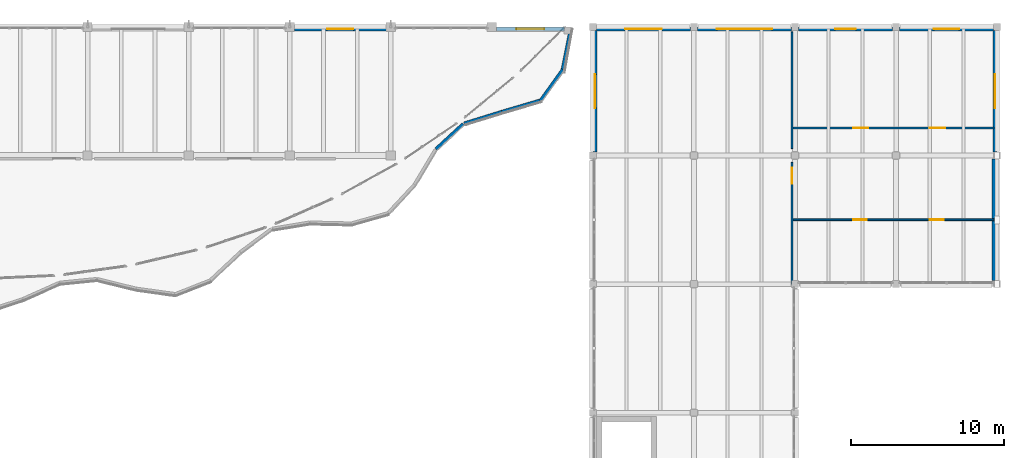
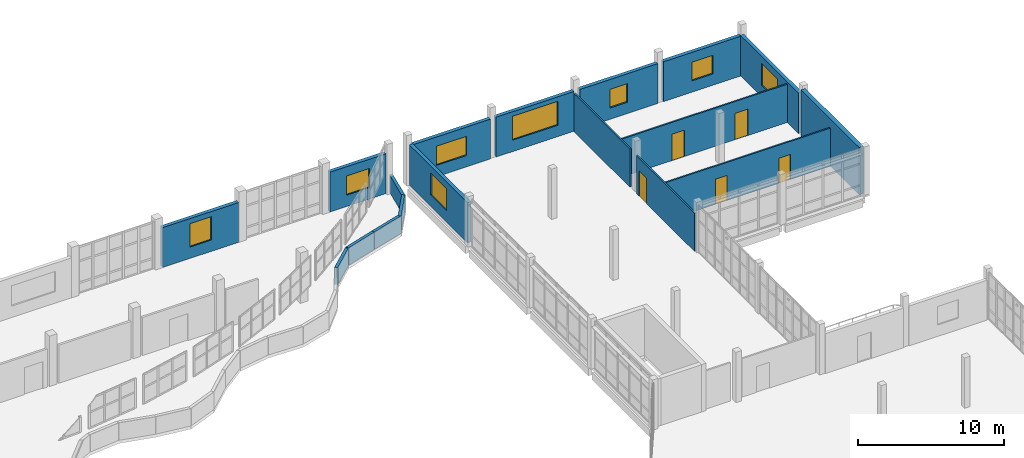
# One storey, part 55 of 74: 18 walls, 8 windows, 5 doors, 13 openings.
"""IFC4 building model written with IfcOpenShell, lengths in metres."""

from ifc_helpers import new_model, si_unit, direction, frame, frame_2d, origin, place, context, subcontext, project, spatial, rectangle, extrude, material, layer, layer_set, type_object, element, fill, save


model = new_model("IFC4")

# Units and contexts
model_context = context("Model", 3, precision=1e-05, world=origin(), true_north=direction((0.0, 1.0)))
body_context = subcontext(model_context, "Body", "Model", "MODEL_VIEW")
ifc_project = project(units=[si_unit("LENGTHUNIT", "METRE"), si_unit("AREAUNIT", "SQUARE_METRE"), si_unit("VOLUMEUNIT", "CUBIC_METRE"), si_unit("PLANEANGLEUNIT", "RADIAN"), si_unit("MASSUNIT", "GRAM", prefix="KILO")], contexts=[model_context])

# Site, building, storey
site_placement = place(None, origin())
site = spatial("IfcSite", under=ifc_project, at=site_placement, CompositionType="ELEMENT")
building_placement = place(site_placement, origin())
building = spatial("IfcBuilding", under=site, at=building_placement, Name="Qaldarim Faculty of Natural and Applied Sciences", CompositionType="ELEMENT")
storey_placement = place(building_placement, frame((0.0, 0.0, 14.39990234375)))
storey = spatial("IfcBuildingStorey", under=building, at=storey_placement, Name="L03", CompositionType="ELEMENT", Elevation=14.39990234375)

# Wall, opening, door
ifc_material_1 = material(Name="Painted gypsum partition board")
ifc_layer_1 = layer(ifc_material_1, 0.1201171875)
ifc_layer_set_1 = layer_set([ifc_layer_1], Name="Painted gypsum partition board")
wall_type_1 = type_object("IfcWallType", Name="AcousticPartition-120", PredefinedType="PARTITIONING", material=ifc_layer_set_1)
wall_1_placement = place(storey_placement, frame((164.800048828125, 100.800048828125, 0.0), z_axis=(0.0, 0.0, 1.0), x_axis=(0.0, 1.0, 0.0)))
wall_1 = element("IfcWall", 1, at=wall_1_placement, inside=storey, type_object=wall_type_1, Name="Interior partition PRT-L03-V3-TUTW-S1", PredefinedType="PARTITIONING", context=body_context, shape_type="SweptSolid", body=[
    extrude(rectangle(XDim=7.949951171875, YDim=0.1201171875, at=frame_2d((3.97509765625, 0.0))), origin(), (0.0, 0.0, 1.0), 3.190185546875),
])
opening_1_placement = place(wall_1_placement, frame((6.550048828125, 0.0, 0.0)))
opening_1 = element("IfcOpeningElement", 2, at=opening_1_placement, cuts=wall_1, Name="Opening ID02", PredefinedType="OPENING", context=body_context, shape_type="SweptSolid", body=[
    extrude(rectangle(XDim=1.050048828125, YDim=2.14990234375, at=frame_2d((0.52490234375, 1.074951171875))), frame((0.0, 0.070068359375, 0.0), z_axis=(0.0, -1.0, 0.0), x_axis=(1.0, 0.0, 0.0)), (0.0, 0.0, 1.0), 0.14013671875),
])
ifc_material_2 = material(Name="Oak hardwood", Category="wood")
door_type_1 = type_object("IfcDoorType", Name="AccessibleRoomDoor-1050x2150", OperationType="NOTDEFINED", PredefinedType="DOOR", material=ifc_material_2)
door_1_placement = place(opening_1_placement, origin())
door_1 = element("IfcDoor", 3, at=door_1_placement, inside=storey, type_object=door_type_1, Name="Interior door D-L03-237", OperationType="SINGLE_SWING_LEFT", OverallHeight=2.14990234375, OverallWidth=1.050048828125, PredefinedType="DOOR", context=body_context, shape_type="SweptSolid", body=[
    extrude(rectangle(XDim=1.050048828125, YDim=2.14990234375, at=frame_2d((0.52490234375, 1.074951171875))), frame((0.0, 0.02490234375, 0.0), z_axis=(0.0, -1.0, 0.0), x_axis=(1.0, 0.0, 0.0)), (0.0, 0.0, 1.0), 0.050048828125),
])
fill(opening_1, door_1)

# Wall
wall_2_placement = place(storey_placement, frame((164.800048828125, 109.64990234375, 0.0), z_axis=(0.0, 0.0, 1.0), x_axis=(0.0, 1.0, 0.0)))
element("IfcWall", 4, at=wall_2_placement, inside=storey, type_object=wall_type_1, Name="Interior partition PRT-L03-V3-TUTW-S2", PredefinedType="PARTITIONING", context=body_context, shape_type="SweptSolid", body=[
    extrude(rectangle(XDim=7.630126953125, YDim=0.1201171875, at=frame_2d((3.81494140625, 0.0))), origin(), (0.0, 0.0, 1.0), 3.190185546875),
])

# Wall, openings, doors
wall_3_placement = place(storey_placement, frame((164.800048828125, 105.0, 0.0), z_axis=(0.0, 0.0, 1.0), x_axis=(1.0, 0.0, 0.0)))
wall_3 = element("IfcWall", 5, at=wall_3_placement, inside=storey, type_object=wall_type_1, Name="Interior partition PRT-L03-V3-POD-1", PredefinedType="PARTITIONING", context=body_context, shape_type="SweptSolid", body=[
    extrude(rectangle(XDim=13.199951171875, YDim=0.1201171875, at=frame_2d((6.60009765625, 0.0))), origin(), (0.0, 0.0, 1.0), 3.190185546875),
])
opening_2_placement = place(wall_3_placement, frame((4.0, 0.0, 0.0)))
opening_2 = element("IfcOpeningElement", 6, at=opening_2_placement, cuts=wall_3, Name="Opening ID07", PredefinedType="OPENING", context=body_context, shape_type="SweptSolid", body=[
    extrude(rectangle(XDim=0.89990234375, YDim=2.10009765625, at=frame_2d((0.449951171875, 1.050048828125))), frame((0.0, 0.070068359375, 0.0), z_axis=(0.0, -1.0, 0.0), x_axis=(1.0, 0.0, 0.0)), (0.0, 0.0, 1.0), 0.14013671875),
])
opening_3_placement = place(wall_3_placement, frame((9.0, 0.0, 0.0)))
opening_3 = element("IfcOpeningElement", 7, at=opening_3_placement, cuts=wall_3, Name="Opening ID07", PredefinedType="OPENING", context=body_context, shape_type="SweptSolid", body=[
    extrude(rectangle(XDim=0.89990234375, YDim=2.10009765625, at=frame_2d((0.449951171875, 1.050048828125))), frame((0.0, 0.070068359375, 0.0), z_axis=(0.0, -1.0, 0.0), x_axis=(1.0, 0.0, 0.0)), (0.0, 0.0, 1.0), 0.14013671875),
])
door_type_2 = type_object("IfcDoorType", Name="OfficeStudyDoor-900x2100", OperationType="NOTDEFINED", PredefinedType="DOOR", material=ifc_material_2)
door_2_placement = place(opening_2_placement, origin())
door_2 = element("IfcDoor", 8, at=door_2_placement, inside=storey, type_object=door_type_2, Name="Interior door D-L03-384", OperationType="SINGLE_SWING_LEFT", OverallHeight=2.10009765625, OverallWidth=0.89990234375, PredefinedType="DOOR", context=body_context, shape_type="SweptSolid", body=[
    extrude(rectangle(XDim=0.89990234375, YDim=2.10009765625, at=frame_2d((0.449951171875, 1.050048828125))), frame((0.0, 0.02490234375, 0.0), z_axis=(0.0, -1.0, 0.0), x_axis=(1.0, 0.0, 0.0)), (0.0, 0.0, 1.0), 0.050048828125),
])
fill(opening_2, door_2)
door_3_placement = place(opening_3_placement, origin())
door_3 = element("IfcDoor", 9, at=door_3_placement, inside=storey, type_object=door_type_2, Name="Interior door D-L03-385", OperationType="SINGLE_SWING_RIGHT", OverallHeight=2.10009765625, OverallWidth=0.89990234375, PredefinedType="DOOR", context=body_context, shape_type="SweptSolid", body=[
    extrude(rectangle(XDim=0.89990234375, YDim=2.10009765625, at=frame_2d((0.449951171875, 1.050048828125))), frame((0.0, 0.02490234375, 0.0), z_axis=(0.0, -1.0, 0.0), x_axis=(1.0, 0.0, 0.0)), (0.0, 0.0, 1.0), 0.050048828125),
])
fill(opening_3, door_3)

wall_4_placement = place(storey_placement, frame((164.800048828125, 111.0, 0.0), z_axis=(0.0, 0.0, 1.0), x_axis=(1.0, 0.0, 0.0)))
wall_4 = element("IfcWall", 10, at=wall_4_placement, inside=storey, type_object=wall_type_1, Name="Interior partition PRT-L03-V3-POD-2", PredefinedType="PARTITIONING", context=body_context, shape_type="SweptSolid", body=[
    extrude(rectangle(XDim=13.199951171875, YDim=0.1201171875, at=frame_2d((6.60009765625, 0.0))), origin(), (0.0, 0.0, 1.0), 3.190185546875),
])
opening_4_placement = place(wall_4_placement, frame((4.0, 0.0, 0.0)))
opening_4 = element("IfcOpeningElement", 11, at=opening_4_placement, cuts=wall_4, Name="Opening ID08", PredefinedType="OPENING", context=body_context, shape_type="SweptSolid", body=[
    extrude(rectangle(XDim=1.0, YDim=2.199951171875, at=frame_2d((0.5, 1.10009765625))), frame((0.0, 0.070068359375, 0.0), z_axis=(0.0, -1.0, 0.0), x_axis=(1.0, 0.0, 0.0)), (0.0, 0.0, 1.0), 0.14013671875),
])
opening_5_placement = place(wall_4_placement, frame((9.0, 0.0, 0.0)))
opening_5 = element("IfcOpeningElement", 12, at=opening_5_placement, cuts=wall_4, Name="Opening ID08", PredefinedType="OPENING", context=body_context, shape_type="SweptSolid", body=[
    extrude(rectangle(XDim=1.0, YDim=2.199951171875, at=frame_2d((0.5, 1.10009765625))), frame((0.0, 0.070068359375, 0.0), z_axis=(0.0, -1.0, 0.0), x_axis=(1.0, 0.0, 0.0)), (0.0, 0.0, 1.0), 0.14013671875),
])
door_type_3 = type_object("IfcDoorType", Name="SeminarRoomDoor-1000x2200", OperationType="NOTDEFINED", PredefinedType="DOOR", material=ifc_material_2)
door_4_placement = place(opening_4_placement, origin())
door_4 = element("IfcDoor", 13, at=door_4_placement, inside=storey, type_object=door_type_3, Name="Interior door D-L03-386", OperationType="SINGLE_SWING_LEFT", OverallHeight=2.199951171875, OverallWidth=1.0, PredefinedType="DOOR", context=body_context, shape_type="SweptSolid", body=[
    extrude(rectangle(XDim=1.0, YDim=2.199951171875, at=frame_2d((0.5, 1.10009765625))), frame((0.0, 0.02490234375, 0.0), z_axis=(0.0, -1.0, 0.0), x_axis=(1.0, 0.0, 0.0)), (0.0, 0.0, 1.0), 0.050048828125),
])
fill(opening_4, door_4)
door_5_placement = place(opening_5_placement, origin())
door_5 = element("IfcDoor", 14, at=door_5_placement, inside=storey, type_object=door_type_3, Name="Interior door D-L03-387", OperationType="SINGLE_SWING_RIGHT", OverallHeight=2.199951171875, OverallWidth=1.0, PredefinedType="DOOR", context=body_context, shape_type="SweptSolid", body=[
    extrude(rectangle(XDim=1.0, YDim=2.199951171875, at=frame_2d((0.5, 1.10009765625))), frame((0.0, 0.02490234375, 0.0), z_axis=(0.0, -1.0, 0.0), x_axis=(1.0, 0.0, 0.0)), (0.0, 0.0, 1.0), 0.050048828125),
])
fill(opening_5, door_5)

# Wall, opening, window
ifc_material_3 = material(Name="Precast concrete C40/50", Category="concrete")
ifc_layer_2 = layer(ifc_material_3, 0.280029296875)
ifc_layer_set_2 = layer_set([ifc_layer_2], Name="Precast concrete C40/50")
wall_type_2 = type_object("IfcWallType", Name="ExteriorSpandrelWall-280", PredefinedType="SOLIDWALL", material=ifc_layer_set_2)
wall_5_placement = place(storey_placement, frame((138.304931640625, 117.4599609375, 0.0), z_axis=(0.0, 0.0, 1.0), x_axis=(-1.0, 0.0, 0.0)))
wall_5 = element("IfcWall", 15, at=wall_5_placement, inside=storey, type_object=wall_type_2, Name="Exterior wall EW02 L03 N X21Y14", PredefinedType="SOLIDWALL", context=body_context, shape_type="SweptSolid", body=[
    extrude(rectangle(XDim=6.010009765625, YDim=0.280029296875, at=frame_2d((3.0048828125, 0.0))), origin(), (0.0, 0.0, 1.0), 3.3251953125),
])
opening_6_placement = place(wall_5_placement, frame((2.155029296875, 0.0, 0.949951171875)))
opening_6 = element("IfcOpeningElement", 16, at=opening_6_placement, cuts=wall_5, Name="Opening WN26", PredefinedType="OPENING", context=body_context, shape_type="SweptSolid", body=[
    extrude(rectangle(XDim=1.699951171875, YDim=1.949951171875, at=frame_2d((0.85009765625, 0.97509765625))), frame((0.0, 0.14990234375, 0.0), z_axis=(0.0, -1.0, 0.0), x_axis=(1.0, 0.0, 0.0)), (0.0, 0.0, 1.0), 0.300048828125),
])
ifc_material_4 = material(Name="Insulated low-e double glazing", Category="glass")
window_type_1 = type_object("IfcWindowType", Name="GalleryWindow-1700x1950", PartitioningType="DOUBLE_PANEL_VERTICAL", PredefinedType="WINDOW", material=ifc_material_4)
window_1_placement = place(opening_6_placement, origin())
window_1 = element("IfcWindow", 17, at=window_1_placement, inside=storey, type_object=window_type_1, Name="Facade window WN26 L03 N X21Y14", OverallHeight=1.949951171875, OverallWidth=1.699951171875, PartitioningType="SINGLE_PANEL", PredefinedType="WINDOW", context=body_context, shape_type="SweptSolid", body=[
    extrude(rectangle(XDim=1.699951171875, YDim=1.949951171875, at=frame_2d((0.85009765625, 0.97509765625))), frame((0.0, 0.030029296875, 0.0), z_axis=(0.0, -1.0, 0.0), x_axis=(1.0, 0.0, 0.0)), (0.0, 0.0, 1.0), 0.06005859375),
])
fill(opening_6, window_1)

wall_6_placement = place(storey_placement, frame((158.179931640625, 117.4599609375, 0.0), z_axis=(0.0, 0.0, 1.0), x_axis=(-1.0, 0.0, 0.0)))
wall_6 = element("IfcWall", 18, at=wall_6_placement, inside=storey, type_object=wall_type_2, Name="Exterior wall EW02 L03 N X24Y14", PredefinedType="SOLIDWALL", context=body_context, shape_type="SweptSolid", body=[
    extrude(rectangle(XDim=6.159912109375, YDim=0.280029296875, at=frame_2d((3.080078125, 0.0))), origin(), (0.0, 0.0, 1.0), 3.3251953125),
])
opening_7_placement = place(wall_6_placement, frame((1.8798828125, 0.0, 0.949951171875)))
opening_7 = element("IfcOpeningElement", 19, at=opening_7_placement, cuts=wall_6, Name="Opening WN03", PredefinedType="OPENING", context=body_context, shape_type="SweptSolid", body=[
    extrude(rectangle(XDim=2.39990234375, YDim=1.60009765625, at=frame_2d((1.199951171875, 0.800048828125))), frame((0.0, 0.14990234375, 0.0), z_axis=(0.0, -1.0, 0.0), x_axis=(1.0, 0.0, 0.0)), (0.0, 0.0, 1.0), 0.300048828125),
])
window_type_2 = type_object("IfcWindowType", Name="Window-2400x1600", PartitioningType="TRIPLE_PANEL_VERTICAL", PredefinedType="WINDOW", material=ifc_material_4)
window_2_placement = place(opening_7_placement, origin())
window_2 = element("IfcWindow", 20, at=window_2_placement, inside=storey, type_object=window_type_2, Name="Facade window WN03 L03 N X24Y14", OverallHeight=1.60009765625, OverallWidth=2.39990234375, PartitioningType="SINGLE_PANEL", PredefinedType="WINDOW", context=body_context, shape_type="SweptSolid", body=[
    extrude(rectangle(XDim=2.39990234375, YDim=1.60009765625, at=frame_2d((1.199951171875, 0.800048828125))), frame((0.0, 0.030029296875, 0.0), z_axis=(0.0, -1.0, 0.0), x_axis=(1.0, 0.0, 0.0)), (0.0, 0.0, 1.0), 0.06005859375),
])
fill(opening_7, window_2)

wall_7_placement = place(storey_placement, frame((151.93994140625, 117.3798828125, 0.0), z_axis=(0.0, 0.0, 1.0), x_axis=(0.0, -1.0, 0.0)))
wall_7 = element("IfcWall", 21, at=wall_7_placement, inside=storey, type_object=wall_type_2, Name="Exterior wall EW02 L03 W X24Y14", PredefinedType="SOLIDWALL", context=body_context, shape_type="SweptSolid", body=[
    extrude(rectangle(XDim=7.9599609375, YDim=0.280029296875, at=frame_2d((3.97998046875, 0.0))), origin(), (0.0, 0.0, 1.0), 3.375),
])
opening_8_placement = place(wall_7_placement, frame((2.8798828125, 0.0, 0.949951171875)))
opening_8 = element("IfcOpeningElement", 22, at=opening_8_placement, cuts=wall_7, Name="Opening WN21", PredefinedType="OPENING", context=body_context, shape_type="SweptSolid", body=[
    extrude(rectangle(XDim=2.199951171875, YDim=1.85009765625, at=frame_2d((1.10009765625, 0.925048828125))), frame((0.0, 0.14990234375, 0.0), z_axis=(0.0, -1.0, 0.0), x_axis=(1.0, 0.0, 0.0)), (0.0, 0.0, 1.0), 0.300048828125),
])
window_type_3 = type_object("IfcWindowType", Name="StudyWindow-2200x1850", PartitioningType="TRIPLE_PANEL_VERTICAL", PredefinedType="WINDOW", material=ifc_material_4)
window_3_placement = place(opening_8_placement, origin())
window_3 = element("IfcWindow", 23, at=window_3_placement, inside=storey, type_object=window_type_3, Name="Facade window WN21 L03 W X24Y14", OverallHeight=1.85009765625, OverallWidth=2.199951171875, PartitioningType="SINGLE_PANEL", PredefinedType="WINDOW", context=body_context, shape_type="SweptSolid", body=[
    extrude(rectangle(XDim=2.199951171875, YDim=1.85009765625, at=frame_2d((1.10009765625, 0.925048828125))), frame((0.0, 0.030029296875, 0.0), z_axis=(0.0, -1.0, 0.0), x_axis=(1.0, 0.0, 0.0)), (0.0, 0.0, 1.0), 0.06005859375),
])
fill(opening_8, window_3)

wall_8_placement = place(storey_placement, frame((164.780029296875, 117.4599609375, 0.0), z_axis=(0.0, 0.0, 1.0), x_axis=(-1.0, 0.0, 0.0)))
wall_8 = element("IfcWall", 24, at=wall_8_placement, inside=storey, type_object=wall_type_2, Name="Exterior wall EW02 L03 N X25Y14", PredefinedType="SOLIDWALL", context=body_context, shape_type="SweptSolid", body=[
    extrude(rectangle(XDim=6.159912109375, YDim=0.280029296875, at=frame_2d((3.080078125, 0.0))), origin(), (0.0, 0.0, 1.0), 3.3251953125),
])
opening_9_placement = place(wall_8_placement, frame((1.280029296875, 0.0, 0.949951171875)))
opening_9 = element("IfcOpeningElement", 25, at=opening_9_placement, cuts=wall_8, Name="Opening WN07", PredefinedType="OPENING", context=body_context, shape_type="SweptSolid", body=[
    extrude(rectangle(XDim=3.60009765625, YDim=2.0, at=frame_2d((1.800048828125, 1.0))), frame((0.0, 0.14990234375, 0.0), z_axis=(0.0, -1.0, 0.0), x_axis=(1.0, 0.0, 0.0)), (0.0, 0.0, 1.0), 0.300048828125),
])
window_type_4 = type_object("IfcWindowType", Name="Window-3600x2000", PartitioningType="TRIPLE_PANEL_VERTICAL", PredefinedType="WINDOW", material=ifc_material_4)
window_4_placement = place(opening_9_placement, origin())
window_4 = element("IfcWindow", 26, at=window_4_placement, inside=storey, type_object=window_type_4, Name="Facade window WN07 L03 N X25Y14", OverallHeight=2.0, OverallWidth=3.60009765625, PartitioningType="SINGLE_PANEL", PredefinedType="WINDOW", context=body_context, shape_type="SweptSolid", body=[
    extrude(rectangle(XDim=3.60009765625, YDim=2.0, at=frame_2d((1.800048828125, 1.0))), frame((0.0, 0.030029296875, 0.0), z_axis=(0.0, -1.0, 0.0), x_axis=(1.0, 0.0, 0.0)), (0.0, 0.0, 1.0), 0.06005859375),
])
fill(opening_9, window_4)

wall_9_placement = place(storey_placement, frame((171.3798828125, 117.4599609375, 0.0), z_axis=(0.0, 0.0, 1.0), x_axis=(-1.0, 0.0, 0.0)))
wall_9 = element("IfcWall", 27, at=wall_9_placement, inside=storey, type_object=wall_type_2, Name="Exterior wall EW02 L03 N X26Y14", PredefinedType="SOLIDWALL", context=body_context, shape_type="SweptSolid", body=[
    extrude(rectangle(XDim=6.159912109375, YDim=0.280029296875, at=frame_2d((3.080078125, 0.0))), origin(), (0.0, 0.0, 1.0), 3.3251953125),
])
opening_10_placement = place(wall_9_placement, frame((2.405029296875, 0.0, 0.949951171875)))
opening_10 = element("IfcOpeningElement", 28, at=opening_10_placement, cuts=wall_9, Name="Opening WN09", PredefinedType="OPENING", context=body_context, shape_type="SweptSolid", body=[
    extrude(rectangle(XDim=1.35009765625, YDim=1.550048828125, at=frame_2d((0.675048828125, 0.77490234375))), frame((0.0, 0.14990234375, 0.0), z_axis=(0.0, -1.0, 0.0), x_axis=(1.0, 0.0, 0.0)), (0.0, 0.0, 1.0), 0.300048828125),
])
window_type_5 = type_object("IfcWindowType", Name="LabWindow-1350x1550", PartitioningType="SINGLE_PANEL", PredefinedType="WINDOW", material=ifc_material_4)
window_5_placement = place(opening_10_placement, origin())
window_5 = element("IfcWindow", 29, at=window_5_placement, inside=storey, type_object=window_type_5, Name="Facade window WN09 L03 N X26Y14", OverallHeight=1.550048828125, OverallWidth=1.35009765625, PartitioningType="SINGLE_PANEL", PredefinedType="WINDOW", context=body_context, shape_type="SweptSolid", body=[
    extrude(rectangle(XDim=1.35009765625, YDim=1.550048828125, at=frame_2d((0.675048828125, 0.77490234375))), frame((0.0, 0.030029296875, 0.0), z_axis=(0.0, -1.0, 0.0), x_axis=(1.0, 0.0, 0.0)), (0.0, 0.0, 1.0), 0.06005859375),
])
fill(opening_10, window_5)

wall_10_placement = place(storey_placement, frame((178.06005859375, 109.419921875, 0.0), z_axis=(0.0, 0.0, 1.0), x_axis=(0.0, 1.0, 0.0)))
wall_10 = element("IfcWall", 30, at=wall_10_placement, inside=storey, type_object=wall_type_2, Name="Exterior wall EW02 L03 E X27Y14", PredefinedType="SOLIDWALL", context=body_context, shape_type="SweptSolid", body=[
    extrude(rectangle(XDim=7.9599609375, YDim=0.280029296875, at=frame_2d((3.97998046875, 0.0))), origin(), (0.0, 0.0, 1.0), 3.375),
])
opening_11_placement = place(wall_10_placement, frame((2.8798828125, 0.0, 0.949951171875)))
opening_11 = element("IfcOpeningElement", 31, at=opening_11_placement, cuts=wall_10, Name="Opening WN21", PredefinedType="OPENING", context=body_context, shape_type="SweptSolid", body=[
    extrude(rectangle(XDim=2.199951171875, YDim=1.85009765625, at=frame_2d((1.10009765625, 0.925048828125))), frame((0.0, 0.14990234375, 0.0), z_axis=(0.0, -1.0, 0.0), x_axis=(1.0, 0.0, 0.0)), (0.0, 0.0, 1.0), 0.300048828125),
])
window_6_placement = place(opening_11_placement, origin())
window_6 = element("IfcWindow", 32, at=window_6_placement, inside=storey, type_object=window_type_3, Name="Facade window WN21 L03 E X27Y14", OverallHeight=1.85009765625, OverallWidth=2.199951171875, PartitioningType="SINGLE_PANEL", PredefinedType="WINDOW", context=body_context, shape_type="SweptSolid", body=[
    extrude(rectangle(XDim=2.199951171875, YDim=1.85009765625, at=frame_2d((1.10009765625, 0.925048828125))), frame((0.0, 0.030029296875, 0.0), z_axis=(0.0, -1.0, 0.0), x_axis=(1.0, 0.0, 0.0)), (0.0, 0.0, 1.0), 0.06005859375),
])
fill(opening_11, window_6)

wall_11_placement = place(storey_placement, frame((177.97998046875, 117.4599609375, 0.0), z_axis=(0.0, 0.0, 1.0), x_axis=(-1.0, 0.0, 0.0)))
wall_11 = element("IfcWall", 33, at=wall_11_placement, inside=storey, type_object=wall_type_2, Name="Exterior wall EW02 L03 N X27Y14", PredefinedType="SOLIDWALL", context=body_context, shape_type="SweptSolid", body=[
    extrude(rectangle(XDim=6.159912109375, YDim=0.280029296875, at=frame_2d((3.080078125, 0.0))), origin(), (0.0, 0.0, 1.0), 3.3251953125),
])
opening_12_placement = place(wall_11_placement, frame((2.2548828125, 0.0, 0.949951171875)))
opening_12 = element("IfcOpeningElement", 34, at=opening_12_placement, cuts=wall_11, Name="Opening WN10", PredefinedType="OPENING", context=body_context, shape_type="SweptSolid", body=[
    extrude(rectangle(XDim=1.64990234375, YDim=1.550048828125, at=frame_2d((0.824951171875, 0.77490234375))), frame((0.0, 0.14990234375, 0.0), z_axis=(0.0, -1.0, 0.0), x_axis=(1.0, 0.0, 0.0)), (0.0, 0.0, 1.0), 0.300048828125),
])
window_type_6 = type_object("IfcWindowType", Name="LabWindow-1650x1550", PartitioningType="DOUBLE_PANEL_VERTICAL", PredefinedType="WINDOW", material=ifc_material_4)
window_7_placement = place(opening_12_placement, origin())
window_7 = element("IfcWindow", 35, at=window_7_placement, inside=storey, type_object=window_type_6, Name="Facade window WN10 L03 N X27Y14", OverallHeight=1.550048828125, OverallWidth=1.64990234375, PartitioningType="SINGLE_PANEL", PredefinedType="WINDOW", context=body_context, shape_type="SweptSolid", body=[
    extrude(rectangle(XDim=1.64990234375, YDim=1.550048828125, at=frame_2d((0.824951171875, 0.77490234375))), frame((0.0, 0.030029296875, 0.0), z_axis=(0.0, -1.0, 0.0), x_axis=(1.0, 0.0, 0.0)), (0.0, 0.0, 1.0), 0.06005859375),
])
fill(opening_12, window_7)

wall_12_placement = place(storey_placement, frame((149.929931640625, 117.4599609375, 0.0), z_axis=(0.0, 0.0, 1.0), x_axis=(-1.0, 0.0, 0.0)))
wall_12 = element("IfcWall", 36, at=wall_12_placement, inside=storey, type_object=wall_type_2, Name="Laboratories NE corner facade wall L03", PredefinedType="SOLIDWALL", context=body_context, shape_type="SweptSolid", body=[
    extrude(rectangle(XDim=4.434814453125, YDim=0.280029296875, at=frame_2d((2.21728515625, 0.0))), origin(), (0.0, 0.0, 1.0), 3.3251953125),
])
opening_13_placement = place(wall_12_placement, frame((1.320068359375, 0.0, 0.949951171875)))
opening_13 = element("IfcOpeningElement", 37, at=opening_13_placement, cuts=wall_12, Name="Opening WN02", PredefinedType="OPENING", context=body_context, shape_type="SweptSolid", body=[
    extrude(rectangle(XDim=1.800048828125, YDim=1.60009765625, at=frame_2d((0.89990234375, 0.800048828125))), frame((0.0, 0.14990234375, 0.0), z_axis=(0.0, -1.0, 0.0), x_axis=(1.0, 0.0, 0.0)), (0.0, 0.0, 1.0), 0.300048828125),
])
window_type_7 = type_object("IfcWindowType", Name="Window-1800x1600", PartitioningType="DOUBLE_PANEL_VERTICAL", PredefinedType="WINDOW", material=ifc_material_4)
window_8_placement = place(opening_13_placement, origin())
window_8 = element("IfcWindow", 38, at=window_8_placement, inside=storey, type_object=window_type_7, Name="Laboratories NE corner window L03", OverallHeight=1.60009765625, OverallWidth=1.800048828125, PartitioningType="SINGLE_PANEL", PredefinedType="WINDOW", context=body_context, shape_type="SweptSolid", body=[
    extrude(rectangle(XDim=1.800048828125, YDim=1.60009765625, at=frame_2d((0.89990234375, 0.800048828125))), frame((0.0, 0.030029296875, 0.0), z_axis=(0.0, -1.0, 0.0), x_axis=(1.0, 0.0, 0.0)), (0.0, 0.0, 1.0), 0.06005859375),
])
fill(opening_13, window_8)

# Walls
ifc_material_5 = material(Name="Concrete C50/60", Category="concrete")
ifc_layer_3 = layer(ifc_material_5, 0.340087890625)
ifc_layer_set_3 = layer_set([ifc_layer_3], Name="Concrete C50/60")
wall_type_3 = type_object("IfcWallType", Name="ExteriorStairShearWall-340", PredefinedType="SHEAR", material=ifc_layer_set_3)
wall_13_placement = place(storey_placement, frame((178.030029296875, 101.02001953125, 0.0), z_axis=(0.0, 0.0, 1.0), x_axis=(0.0, 1.0, 0.0)))
element("IfcWall", 39, at=wall_13_placement, inside=storey, type_object=wall_type_3, Name="Exterior wall EW05 L03 E X27Y13", PredefinedType="SHEAR", context=body_context, shape_type="SweptSolid", body=[
    extrude(rectangle(XDim=7.9599609375, YDim=0.340087890625, at=frame_2d((3.97998046875, 0.0))), origin(), (0.0, 0.0, 1.0), 3.940185546875),
])
ifc_material_6 = material(Name="White architectural precast concrete C40/50", Category="concrete")
ifc_layer_4 = layer(ifc_material_6, 0.219970703125)
ifc_layer_set_4 = layer_set([ifc_layer_4], Name="White architectural precast concrete C40/50")
wall_type_4 = type_object("IfcWallType", Name="WhitePrecastWaveBand-220", PredefinedType="SOLIDWALL", material=ifc_layer_set_4)
wall_14_placement = place(storey_placement, frame((141.554931640625, 109.6201171875, 0.0), z_axis=(0.0, 0.0, 1.0), x_axis=(0.734536145401, 0.678569562462, 0.0)))
element("IfcWall", 40, at=wall_14_placement, inside=storey, type_object=wall_type_4, Name="White precast wave spandrel band L03 chord 67", PredefinedType="SOLIDWALL", context=body_context, shape_type="SweptSolid", body=[
    extrude(rectangle(XDim=2.416748046875, YDim=0.219970703125, at=frame_2d((1.20849609375, 0.0))), origin(), (0.0, 0.0, 1.0), 1.4501953125),
])
wall_15_placement = place(storey_placement, frame((143.385009765625, 111.2900390625, 0.0), z_axis=(0.0, 0.0, 1.0), x_axis=(0.955244606325, 0.29581707538, 0.0)))
element("IfcWall", 41, at=wall_15_placement, inside=storey, type_object=wall_type_4, Name="White precast wave spandrel band L03 chord 68", PredefinedType="SOLIDWALL", context=body_context, shape_type="SweptSolid", body=[
    extrude(rectangle(XDim=2.585693359375, YDim=0.219970703125, at=frame_2d((1.29296875, 0.0))), origin(), (0.0, 0.0, 1.0), 1.4501953125),
])
wall_16_placement = place(storey_placement, frame((145.85498046875, 112.054931640625, 0.0), z_axis=(0.0, 0.0, 1.0), x_axis=(0.959029431028, 0.283306460255, 0.0)))
element("IfcWall", 42, at=wall_16_placement, inside=storey, type_object=wall_type_4, Name="White precast wave spandrel band L03 chord 69", PredefinedType="SOLIDWALL", context=body_context, shape_type="SweptSolid", body=[
    extrude(rectangle(XDim=2.70068359375, YDim=0.219970703125, at=frame_2d((1.350341796875, 0.0))), origin(), (0.0, 0.0, 1.0), 1.4501953125),
])
wall_17_placement = place(storey_placement, frame((148.3701171875, 112.764892578125, 0.0), z_axis=(0.0, 0.0, 1.0), x_axis=(0.582720336681, 0.812672756537, 0.0)))
element("IfcWall", 43, at=wall_17_placement, inside=storey, type_object=wall_type_4, Name="White precast wave spandrel band L03 chord 70", PredefinedType="SOLIDWALL", context=body_context, shape_type="SweptSolid", body=[
    extrude(rectangle(XDim=2.522705078125, YDim=0.219970703125, at=frame_2d((1.26123046875, 0.0))), origin(), (0.0, 0.0, 1.0), 1.4501953125),
])
wall_18_placement = place(storey_placement, frame((149.81494140625, 114.760009765625, 0.0), z_axis=(0.0, 0.0, 1.0), x_axis=(0.19684474065, 0.98043467303, 0.0)))
element("IfcWall", 44, at=wall_18_placement, inside=storey, type_object=wall_type_4, Name="White precast wave spandrel band L03 chord 71", PredefinedType="SOLIDWALL", context=body_context, shape_type="SweptSolid", body=[
    extrude(rectangle(XDim=2.641845703125, YDim=0.219970703125, at=frame_2d((1.32080078125, 0.0))), origin(), (0.0, 0.0, 1.0), 1.4501953125),
])

save(model, "model.ifc")
